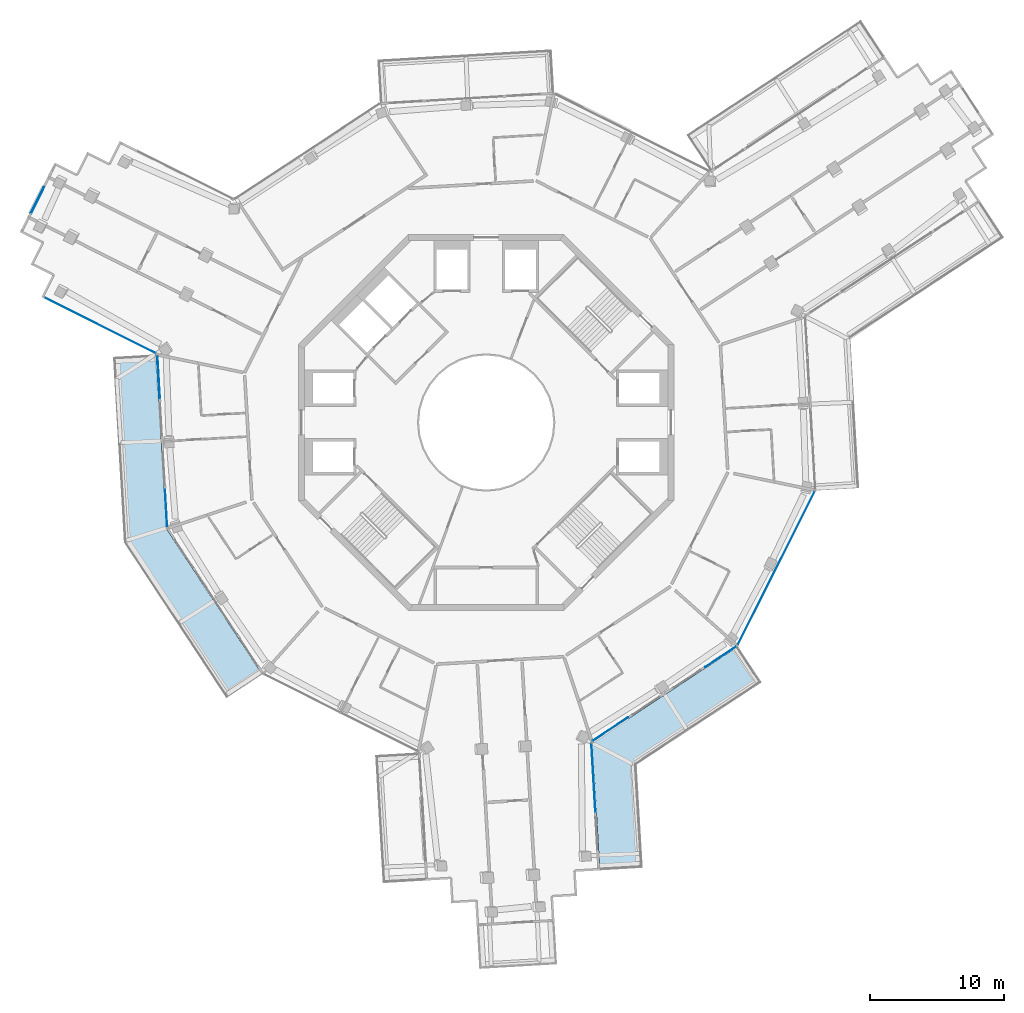
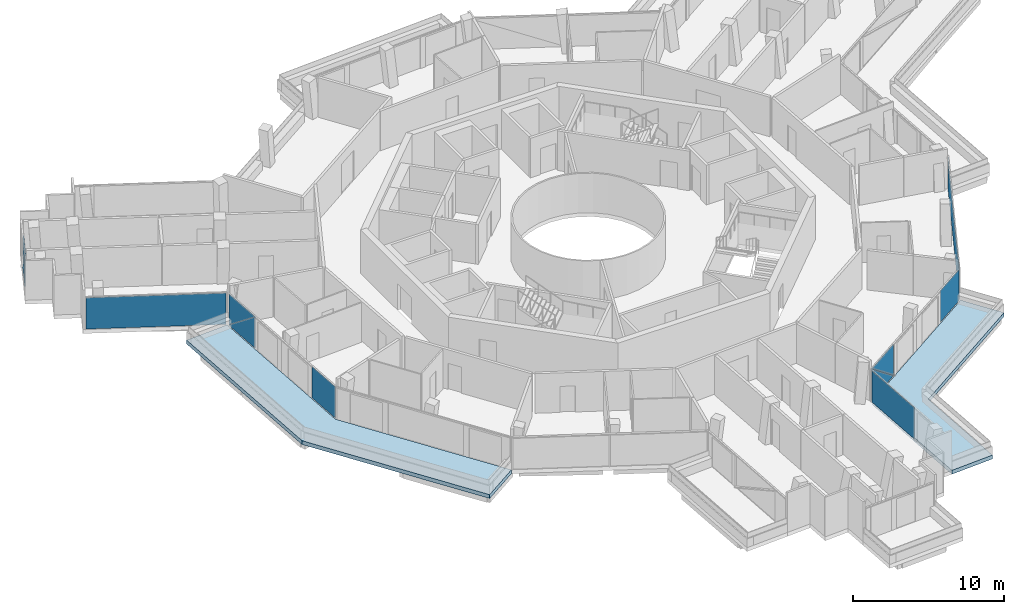
# One storey, part 13 of 26: 11 plates, 2 slabs, 6 elements without a shape of their own.
"""IFC4 building model written with IfcOpenShell, lengths in metres."""

from ifc_helpers import new_model, si_unit, direction, frame, origin, origin_2d, place, context, subcontext, project, spatial, polyline, rectangle, outline, extrude, material, layer, layer_set, type_object, element, aggregate, save


model = new_model("IFC4")

# Units and contexts
model_context = context("Model", 3, precision=1e-05, world=origin(), true_north=direction((0.0, 1.0)))
body_context = subcontext(model_context, "Body", "Model", "MODEL_VIEW")
ifc_project = project(units=[si_unit("LENGTHUNIT", "METRE"), si_unit("AREAUNIT", "SQUARE_METRE"), si_unit("VOLUMEUNIT", "CUBIC_METRE"), si_unit("PLANEANGLEUNIT", "RADIAN"), si_unit("MASSUNIT", "GRAM", prefix="KILO")], contexts=[model_context])

# Site, building, storey
site_placement = place(None, origin())
site = spatial("IfcSite", under=ifc_project, at=site_placement, CompositionType="ELEMENT")
building_placement = place(site_placement, origin())
building = spatial("IfcBuilding", under=site, at=building_placement, Name="Verdalira Terraces Hotel", CompositionType="ELEMENT")
storey_placement = place(building_placement, frame((0.0, 0.0, 291.5)))
storey = spatial("IfcBuildingStorey", under=building, at=storey_placement, Name="L72", CompositionType="ELEMENT", Elevation=291.5)

# Slabs
ifc_material_1 = material(Name="Precast concrete C40/50", Category="concrete")
ifc_layer_1 = layer(ifc_material_1, 0.31005859375)
ifc_layer_set_1 = layer_set([ifc_layer_1], Name="Balcony deck 310")
slab_type = type_object("IfcSlabType", Name="Balcony deck 310", PredefinedType="FLOOR", material=ifc_layer_set_1)
slab_1_placement = place(storey_placement, frame((0.0, 0.0, -0.310059)))
element("IfcSlab", 1, at=slab_1_placement, inside=storey, type_object=slab_type, Name="Balcony deck", PredefinedType="FLOOR", context=body_context, shape_type="SweptSolid", body=[
    extrude(outline(polyline([(-26.97998, -8.954102), (-19.359619, -20.52832), (-16.687012, -18.768555), (-23.835693, -7.910645), (-24.597656, 5.067139), (-27.791992, 4.879395), (-26.97998, -8.954102)])), origin(), (0.0, 0.0, 1.0), 0.310059),
])
slab_2_placement = place(storey_placement, frame((0.0, 0.0, -0.310059)))
element("IfcSlab", 2, at=slab_2_placement, inside=storey, type_object=slab_type, Name="Balcony deck", PredefinedType="FLOOR", context=body_context, shape_type="SweptSolid", body=[
    extrude(outline(polyline([(20.52832, -19.359619), (18.768555, -16.687012), (7.910645, -23.835693), (8.470215, -33.366699), (11.664551, -33.179199), (11.213379, -25.492432), (20.52832, -19.359619)])), origin(), (0.0, 0.0, 1.0), 0.310059),
])

# Curtain wall, plates
ifc_material_2 = material(Name="Clear glass", Category="glass")
ifc_layer_2 = layer(ifc_material_2, 0.14990234375)
ifc_layer_set_2 = layer_set([ifc_layer_2], Name="CW1 curtain wall")
curtain_wall_type_1 = type_object("IfcCurtainWallType", Name="CW1 curtain wall", PredefinedType="NOTDEFINED", material=ifc_layer_set_2)
curtain_wall_1_placement = place(storey_placement, origin())
curtain_wall_1 = element("IfcCurtainWall", 3, at=curtain_wall_1_placement, inside=storey, type_object=curtain_wall_type_1, Name="CW1 curtain wall L72 edge 11", PredefinedType="NOTDEFINED")
ifc_material_3 = material(Name="Clear glass", Category="glass")
ifc_layer_3 = layer(ifc_material_3, 0.028076171875)
ifc_layer_set_3 = layer_set([ifc_layer_3], Name="CW1 glass unit 28")
plate_type_1 = type_object("IfcPlateType", Name="CW1 glass unit 28", PredefinedType="CURTAIN_PANEL", material=ifc_layer_set_3)
plate_1_placement = place(storey_placement, frame((-24.411865, 3.419922, 1.262451), z_axis=(-0.998280988, -0.058609456, 0.0), x_axis=(0.058609456, -0.998280988, 0.0)))
plate_1 = element("IfcPlate", 4, at=plate_1_placement, type_object=plate_type_1, Name="CW1 glass unit", PredefinedType="CURTAIN_PANEL", context=body_context, shape_type="SweptSolid", body=[
    extrude(outline(polyline([(-1.594971, -1.262451), (1.594971, -1.262451), (1.594971, 1.262451), (-1.594971, -1.262451)])), origin(), (0.0, 0.0, 1.0), 0.028076),
])
plate_2_placement = place(storey_placement, frame((-24.382812, 3.421631, 1.262451), z_axis=(-0.998280988, -0.058609456, 0.0), x_axis=(0.058609456, -0.998280988, 0.0)))
plate_2 = element("IfcPlate", 5, at=plate_2_placement, type_object=plate_type_1, Name="CW1 glass unit", PredefinedType="CURTAIN_PANEL", context=body_context, shape_type="SweptSolid", body=[
    extrude(outline(polyline([(-1.594971, -1.262451), (1.594971, 1.262451), (-1.594971, 1.262451), (-1.594971, -1.262451)])), origin(), (0.0, 0.0, 1.0), 0.028076),
])
plate_3_placement = place(storey_placement, frame((-23.848389, -6.414307, 0.0), z_axis=(0.0, 0.0, 1.0), x_axis=(0.058609456, -0.998280988, 0.0)))
plate_3 = element("IfcPlate", 6, at=plate_3_placement, type_object=plate_type_1, Name="CW1 glass unit", PredefinedType="CURTAIN_PANEL", context=body_context, shape_type="SweptSolid", body=[
    extrude(rectangle(XDim=2.788574, YDim=0.028076, at=origin_2d()), origin(), (0.0, 0.0, 1.0), 2.524902),
])
aggregate(curtain_wall_1, [plate_1, plate_2, plate_3])

curtain_wall_2_placement = place(storey_placement, origin())
curtain_wall_2 = element("IfcCurtainWall", 7, at=curtain_wall_2_placement, inside=storey, type_object=curtain_wall_type_1, Name="CW1 curtain wall L72 edge 25", PredefinedType="NOTDEFINED")
plate_4_placement = place(storey_placement, frame((9.243896, -22.851318, 1.262451), z_axis=(0.549897772, -0.835231968, 0.0), x_axis=(0.835231968, 0.549897772, 0.0)))
plate_4 = element("IfcPlate", 8, at=plate_4_placement, type_object=plate_type_1, Name="CW1 glass unit", PredefinedType="CURTAIN_PANEL", context=body_context, shape_type="SweptSolid", body=[
    extrude(outline(polyline([(-1.594971, -1.262451), (1.594971, -1.262451), (-1.594971, 1.262451), (-1.594971, -1.262451)])), origin(), (0.0, 0.0, 1.0), 0.028076),
])
plate_5_placement = place(storey_placement, frame((9.228027, -22.827148, 1.262451), z_axis=(0.549897772, -0.835231968, 0.0), x_axis=(0.835231968, 0.549897772, 0.0)))
plate_5 = element("IfcPlate", 9, at=plate_5_placement, type_object=plate_type_1, Name="CW1 glass unit", PredefinedType="CURTAIN_PANEL", context=body_context, shape_type="SweptSolid", body=[
    extrude(outline(polyline([(1.594971, -1.262451), (1.594971, 1.262451), (-1.594971, 1.262451), (1.594971, -1.262451)])), origin(), (0.0, 0.0, 1.0), 0.028076),
])
plate_6_placement = place(storey_placement, frame((17.479248, -17.446045, 0.0), z_axis=(0.0, 0.0, 1.0), x_axis=(0.835231968, 0.549897772, 0.0)))
plate_6 = element("IfcPlate", 10, at=plate_6_placement, type_object=plate_type_1, Name="CW1 glass unit", PredefinedType="CURTAIN_PANEL", context=body_context, shape_type="SweptSolid", body=[
    extrude(rectangle(XDim=2.788574, YDim=0.028076, at=origin_2d()), origin(), (0.0, 0.0, 1.0), 2.524902),
])
aggregate(curtain_wall_2, [plate_4, plate_5, plate_6])

# Curtain wall, plate
curtain_wall_3_placement = place(storey_placement, origin())
curtain_wall_3 = element("IfcCurtainWall", 11, at=curtain_wall_3_placement, inside=storey, type_object=curtain_wall_type_1, Name="CW1 curtain wall L72 edge 26", PredefinedType="NOTDEFINED")
plate_7_placement = place(storey_placement, frame((21.615967, -10.843506, 0.0), z_axis=(0.0, 0.0, 1.0), x_axis=(0.448383216, 0.893841424, 0.0)))
plate_7 = element("IfcPlate", 12, at=plate_7_placement, type_object=plate_type_1, Name="CW1 glass unit", PredefinedType="CURTAIN_PANEL", context=body_context, shape_type="SweptSolid", body=[
    extrude(rectangle(XDim=12.799561, YDim=0.028076, at=origin_2d()), origin(), (0.0, 0.0, 1.0), 2.524902),
])
aggregate(curtain_wall_3, [plate_7])

ifc_material_4 = material(Name="Clear glass", Category="glass")
ifc_layer_4 = layer(ifc_material_4, 0.14990234375)
ifc_layer_set_4 = layer_set([ifc_layer_4], Name="CW2 curtain wall")
curtain_wall_type_2 = type_object("IfcCurtainWallType", Name="CW2 curtain wall", PredefinedType="NOTDEFINED", material=ifc_layer_set_4)
curtain_wall_4_placement = place(storey_placement, origin())
curtain_wall_4 = element("IfcCurtainWall", 13, at=curtain_wall_4_placement, inside=storey, type_object=curtain_wall_type_2, Name="CW2 curtain wall L72 edge 10", PredefinedType="NOTDEFINED")
ifc_material_5 = material(Name="Clear glass", Category="glass")
ifc_layer_5 = layer(ifc_material_5, 0.031982421875)
ifc_layer_set_5 = layer_set([ifc_layer_5], Name="CW2 glass unit 32")
plate_type_2 = type_object("IfcPlateType", Name="CW2 glass unit 32", PredefinedType="CURTAIN_PANEL", material=ifc_layer_set_5)
plate_8_placement = place(storey_placement, frame((-28.763916, 7.240967, 0.0), z_axis=(0.0, 0.0, 1.0), x_axis=(0.893841424, -0.448383216, 0.0)))
plate_8 = element("IfcPlate", 14, at=plate_8_placement, type_object=plate_type_2, Name="CW2 glass unit", PredefinedType="CURTAIN_PANEL", context=body_context, shape_type="SweptSolid", body=[
    extrude(rectangle(XDim=9.257568, YDim=0.031982, at=origin_2d()), origin(), (0.0, 0.0, 1.0), 2.524902),
])
aggregate(curtain_wall_4, [plate_8])

curtain_wall_5_placement = place(storey_placement, origin())
curtain_wall_5 = element("IfcCurtainWall", 15, at=curtain_wall_5_placement, inside=storey, type_object=curtain_wall_type_2, Name="CW2 curtain wall L72 edge 24", PredefinedType="NOTDEFINED")
plate_9_placement = place(storey_placement, frame((7.989258, -26.454346, 0.0), z_axis=(0.0, 0.0, 1.0), x_axis=(-0.058609456, 0.998280988, 0.0)))
plate_9 = element("IfcPlate", 16, at=plate_9_placement, type_object=plate_type_2, Name="CW2 glass unit", PredefinedType="CURTAIN_PANEL", context=body_context, shape_type="SweptSolid", body=[
    extrude(rectangle(XDim=5.097412, YDim=0.031982, at=origin_2d()), origin(), (0.0, 0.0, 1.0), 2.524902),
])
aggregate(curtain_wall_5, [plate_9])

# Curtain wall, plates
ifc_material_6 = material(Name="Clear glass", Category="glass")
ifc_layer_6 = layer(ifc_material_6, 0.14990234375)
ifc_layer_set_6 = layer_set([ifc_layer_6], Name="CW3 curtain wall")
curtain_wall_type_3 = type_object("IfcCurtainWallType", Name="CW3 curtain wall", PredefinedType="NOTDEFINED", material=ifc_layer_set_6)
curtain_wall_6_placement = place(storey_placement, origin())
curtain_wall_6 = element("IfcCurtainWall", 17, at=curtain_wall_6_placement, inside=storey, type_object=curtain_wall_type_3, Name="CW3 curtain wall L72 edge 5", PredefinedType="NOTDEFINED")
ifc_material_7 = material(Name="Clear glass", Category="glass")
ifc_layer_7 = layer(ifc_material_7, 0.035888671875)
ifc_layer_set_7 = layer_set([ifc_layer_7], Name="CW3 glass unit 36")
plate_type_3 = type_object("IfcPlateType", Name="CW3 glass unit 36", PredefinedType="CURTAIN_PANEL", material=ifc_layer_set_7)
plate_10_placement = place(storey_placement, frame((-33.435059, 16.564453, 1.262451), z_axis=(-0.893841424, 0.448383216, 0.0), x_axis=(-0.448383216, -0.893841424, 0.0)))
plate_10 = element("IfcPlate", 18, at=plate_10_placement, type_object=plate_type_3, Name="CW3 glass unit", PredefinedType="CURTAIN_PANEL", context=body_context, shape_type="SweptSolid", body=[
    extrude(outline(polyline([(-1.09668, -1.262451), (1.09668, -1.262451), (1.09668, 1.262451), (-1.09668, -1.262451)])), origin(), (0.0, 0.0, 1.0), 0.035889),
])
plate_11_placement = place(storey_placement, frame((-33.401855, 16.547852, 1.262451), z_axis=(-0.893841424, 0.448383216, 0.0), x_axis=(-0.448383216, -0.893841424, 0.0)))
plate_11 = element("IfcPlate", 19, at=plate_11_placement, type_object=plate_type_3, Name="CW3 glass unit", PredefinedType="CURTAIN_PANEL", context=body_context, shape_type="SweptSolid", body=[
    extrude(outline(polyline([(-1.09668, -1.262451), (1.09668, 1.262451), (-1.09668, 1.262451), (-1.09668, -1.262451)])), origin(), (0.0, 0.0, 1.0), 0.035889),
])
aggregate(curtain_wall_6, [plate_10, plate_11])

save(model, "model.ifc")
